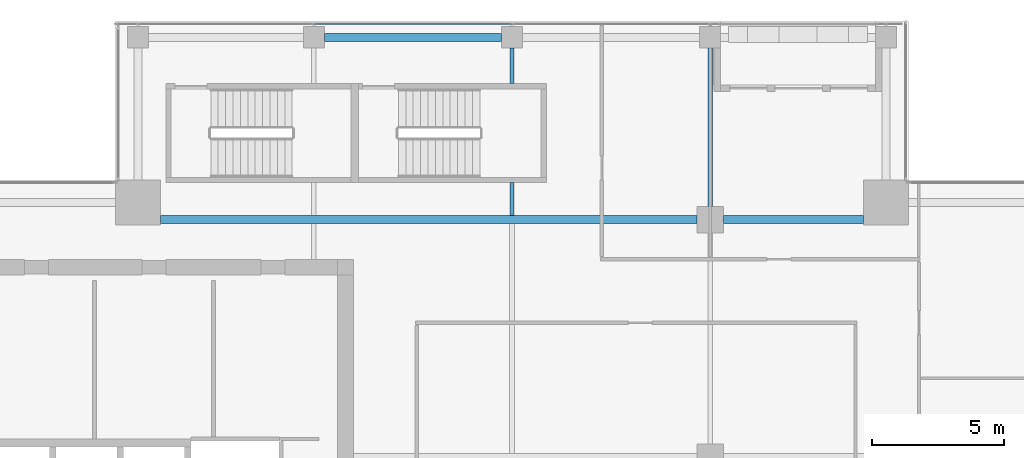
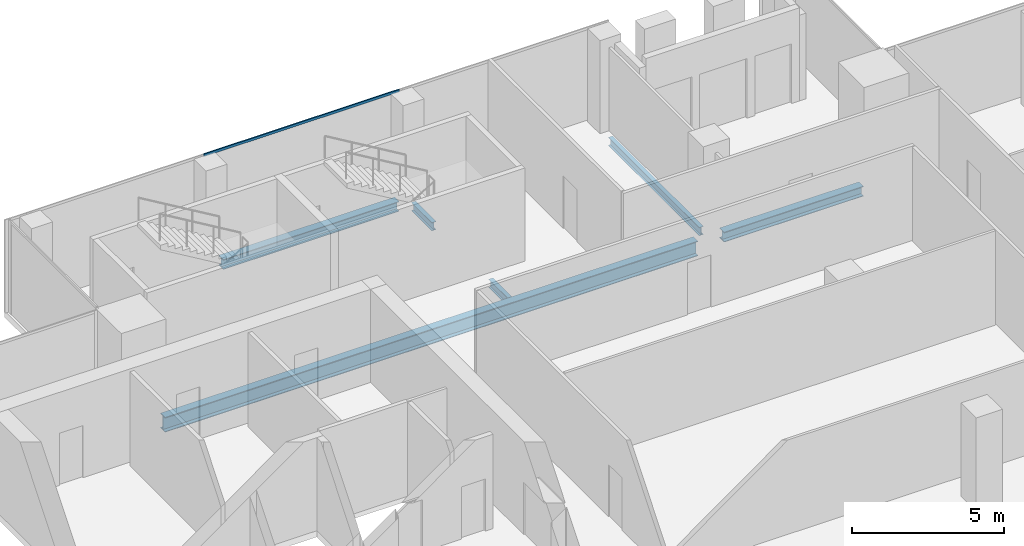
# One storey, part 15 of 29: 6 beams, 1 member, 1 element without a shape of its own.
"""IFC4 building model written with IfcOpenShell, lengths in metres."""

from ifc_helpers import new_model, si_unit, direction, frame, origin, origin_2d, place, context, subcontext, project, spatial, hollow_rectangle, i_section, extrude, source, transform, mapped, material, material_profile, profile_set, type_object, element, aggregate, save


model = new_model("IFC4")

# Units and contexts
model_context = context("Model", 3, precision=1e-05, world=origin(), true_north=direction((0.0, 1.0)))
body_context = subcontext(model_context, "Body", "Model", "MODEL_VIEW")
ifc_project = project(units=[si_unit("LENGTHUNIT", "METRE"), si_unit("AREAUNIT", "SQUARE_METRE"), si_unit("VOLUMEUNIT", "CUBIC_METRE"), si_unit("PLANEANGLEUNIT", "RADIAN"), si_unit("MASSUNIT", "GRAM", prefix="KILO")], contexts=[model_context])

# Site, building, storey
site_placement = place(None, origin())
site = spatial("IfcSite", under=ifc_project, at=site_placement, CompositionType="ELEMENT")
building_placement = place(site_placement, origin())
building = spatial("IfcBuilding", under=site, at=building_placement, Name="Khomas Fold Tower", CompositionType="ELEMENT")
storey_placement = place(building_placement, frame((0.0, 0.0, 286.199951171875)))
storey = spatial("IfcBuildingStorey", under=building, at=storey_placement, Name="L64", CompositionType="ELEMENT", Elevation=286.199951171875)

# Beams
ifc_material_1 = material(Name="Steel S355", Category="steel")
ifc_material_profile_1 = material_profile(ifc_material_1, i_section(OverallWidth=0.159912109375, OverallDepth=0.330078125, WebThickness=0.007568359375, FlangeThickness=0.011474609375, at=origin_2d()), Name="IPE 330")
ifc_profile_set_1 = profile_set([ifc_material_profile_1], Name="Steel S355")
beam_type_1 = type_object("IfcBeamType", Name="IPE 330 beam JB1", PredefinedType="BEAM", material=ifc_profile_set_1)
shared_shape_1 = source(origin(), body_context, "Body", "SweptSolid", [
    extrude(i_section(OverallWidth=0.159912109375, OverallDepth=0.330078125, WebThickness=0.007568359375, FlangeThickness=0.011474609375, at=origin_2d()), origin(), (0.0, 0.0, 1.0), 1.25),
])
beam_1_placement = place(storey_placement, frame((27.0, 40.64990234375, -0.4150390625), z_axis=(0.0, 1.0, 0.0), x_axis=(-1.0, 0.0, 0.0)))
element("IfcBeam", 1, at=beam_1_placement, inside=storey, type_object=beam_type_1, Name="JB1", PredefinedType="BEAM", context=body_context, shape_type="MappedRepresentation", body=[
    mapped(shared_shape_1, transform((0.0, 0.0, 0.0))),
])
shared_shape_2 = source(origin(), body_context, "Body", "SweptSolid", [
    extrude(i_section(OverallWidth=0.159912109375, OverallDepth=0.330078125, WebThickness=0.007568359375, FlangeThickness=0.011474609375, at=origin_2d()), origin(), (0.0, 0.0, 1.0), 1.35009765625),
])
beam_2_placement = place(storey_placement, frame((27.0, 45.64990234375, -0.4150390625), z_axis=(0.0, 1.0, 0.0), x_axis=(-1.0, 0.0, 0.0)))
element("IfcBeam", 2, at=beam_2_placement, inside=storey, type_object=beam_type_1, Name="JB1", PredefinedType="BEAM", context=body_context, shape_type="MappedRepresentation", body=[
    mapped(shared_shape_2, transform((0.0, 0.0, 0.0))),
])
ifc_material_2 = material(Name="Steel S355", Category="steel")
ifc_material_profile_2 = material_profile(ifc_material_2, i_section(OverallWidth=0.300048828125, OverallDepth=0.39990234375, WebThickness=0.013427734375, FlangeThickness=0.02392578125, at=origin_2d()), Name="HE 400 B")
ifc_profile_set_2 = profile_set([ifc_material_profile_2], Name="Steel S355")
beam_type_2 = type_object("IfcBeamType", Name="HE 400 B spandrel SB5", PredefinedType="SPANDREL", material=ifc_profile_set_2)
shared_shape_3 = source(origin(), body_context, "Body", "SweptSolid", [
    extrude(i_section(OverallWidth=0.300048828125, OverallDepth=0.39990234375, WebThickness=0.013427734375, FlangeThickness=0.02392578125, at=origin_2d()), origin(), (0.0, 0.0, 1.0), 6.7001953125),
])
beam_3_placement = place(storey_placement, frame((19.89990234375, 47.39990234375, -0.449951171875), z_axis=(1.0, 0.0, 0.0), x_axis=(0.0, 1.0, 0.0)))
element("IfcBeam", 3, at=beam_3_placement, inside=storey, type_object=beam_type_2, Name="SB5", PredefinedType="SPANDREL", context=body_context, shape_type="MappedRepresentation", body=[
    mapped(shared_shape_3, transform((0.0, 0.0, 0.0))),
])
ifc_material_3 = material(Name="Steel S355", Category="steel")
ifc_material_profile_3 = material_profile(ifc_material_3, i_section(OverallWidth=0.300048828125, OverallDepth=0.60009765625, WebThickness=0.015380859375, FlangeThickness=0.030029296875, at=origin_2d()), Name="HE 600 B")
ifc_profile_set_3 = profile_set([ifc_material_profile_3], Name="Steel S355")
beam_type_3 = type_object("IfcBeamType", Name="HE 600 B beam GB5", PredefinedType="BEAM", material=ifc_profile_set_3)
shared_shape_4 = source(origin(), body_context, "Body", "SweptSolid", [
    extrude(i_section(OverallWidth=0.300048828125, OverallDepth=0.60009765625, WebThickness=0.015380859375, FlangeThickness=0.030029296875, at=origin_2d()), origin(), (0.0, 0.0, 1.0), 20.300048828125),
])
beam_4_placement = place(storey_placement, frame((13.699951171875, 40.5, -0.550048828125), z_axis=(1.0, 0.0, 0.0), x_axis=(0.0, 1.0, 0.0)))
element("IfcBeam", 4, at=beam_4_placement, inside=storey, type_object=beam_type_3, Name="GB5", PredefinedType="BEAM", context=body_context, shape_type="MappedRepresentation", body=[
    mapped(shared_shape_4, transform((0.0, 0.0, 0.0))),
])
ifc_material_4 = material(Name="Steel S355", Category="steel")
ifc_material_profile_4 = material_profile(ifc_material_4, i_section(OverallWidth=0.300048828125, OverallDepth=0.39990234375, WebThickness=0.013427734375, FlangeThickness=0.02392578125, at=origin_2d()), Name="HE 400 B")
ifc_profile_set_4 = profile_set([ifc_material_profile_4], Name="Steel S355")
beam_type_4 = type_object("IfcBeamType", Name="HE 400 B beam GB1", PredefinedType="BEAM", material=ifc_profile_set_4)
shared_shape_5 = source(origin(), body_context, "Body", "SweptSolid", [
    extrude(i_section(OverallWidth=0.300048828125, OverallDepth=0.39990234375, WebThickness=0.013427734375, FlangeThickness=0.02392578125, at=origin_2d()), origin(), (0.0, 0.0, 1.0), 5.300048828125),
])
beam_5_placement = place(storey_placement, frame((35.0, 40.5, -0.449951171875), z_axis=(1.0, 0.0, 0.0), x_axis=(0.0, 1.0, 0.0)))
element("IfcBeam", 5, at=beam_5_placement, inside=storey, type_object=beam_type_4, Name="GB1", PredefinedType="BEAM", context=body_context, shape_type="MappedRepresentation", body=[
    mapped(shared_shape_5, transform((0.0, 0.0, 0.0))),
])
shared_shape_6 = source(origin(), body_context, "Body", "SweptSolid", [
    extrude(i_section(OverallWidth=0.159912109375, OverallDepth=0.330078125, WebThickness=0.007568359375, FlangeThickness=0.011474609375, at=origin_2d()), origin(), (0.0, 0.0, 1.0), 6.0),
])
beam_6_placement = place(storey_placement, frame((34.5, 41.0, -0.4150390625), z_axis=(0.0, 1.0, 0.0), x_axis=(-1.0, 0.0, 0.0)))
element("IfcBeam", 6, at=beam_6_placement, inside=storey, type_object=beam_type_1, Name="JB1", PredefinedType="BEAM", context=body_context, shape_type="MappedRepresentation", body=[
    mapped(shared_shape_6, transform((0.0, 0.0, 0.0))),
])

# Curtain wall, member
ifc_material_5 = material(Name="Aluminium framed double glazing", Category="aluminium")
curtain_wall_type = type_object("IfcCurtainWallType", Name="SK-Unitised clear-glass wall, upper floors CW3", PredefinedType="NOTDEFINED", material=ifc_material_5)
curtain_wall_placement = place(storey_placement, origin())
curtain_wall = element("IfcCurtainWall", 7, at=curtain_wall_placement, inside=storey, type_object=curtain_wall_type, Name="CW3 run L64 06-1", PredefinedType="NOTDEFINED")
ifc_material_6 = material(Name="Aluminium", Category="aluminium")
ifc_material_profile_5 = material_profile(ifc_material_6, hollow_rectangle(XDim=0.050048828125, YDim=0.10009765625, WallThickness=0.00390625, at=origin_2d()), Name="SK-Unitised clear-glass wall, upper floors transom CW3-T")
ifc_profile_set_5 = profile_set([ifc_material_profile_5], Name="Aluminium")
member_type = type_object("IfcMemberType", Name="SK-Unitised clear-glass wall, upper floors transom CW3-T", PredefinedType="USERDEFINED", material=ifc_profile_set_5)
shared_shape_7 = source(origin(), body_context, "Body", "SweptSolid", [
    extrude(hollow_rectangle(XDim=0.050048828125, YDim=0.10009765625, WallThickness=0.00390625, at=origin_2d()), origin(), (0.0, 0.0, 1.0), 7.4501953125),
])
member_placement = place(storey_placement, frame((26.97509765625, 47.89990234375, 3.699951171875), z_axis=(-1.0, 0.0, 0.0), x_axis=(0.0, -1.0, 0.0)))
member = element("IfcMember", 8, at=member_placement, type_object=member_type, Name="CW3 transom 3", ObjectType="TRANSOM", PredefinedType="USERDEFINED", context=body_context, shape_type="MappedRepresentation", body=[
    mapped(shared_shape_7, transform((0.0, 0.0, 0.0))),
])
aggregate(curtain_wall, [member])

save(model, "model.ifc")
